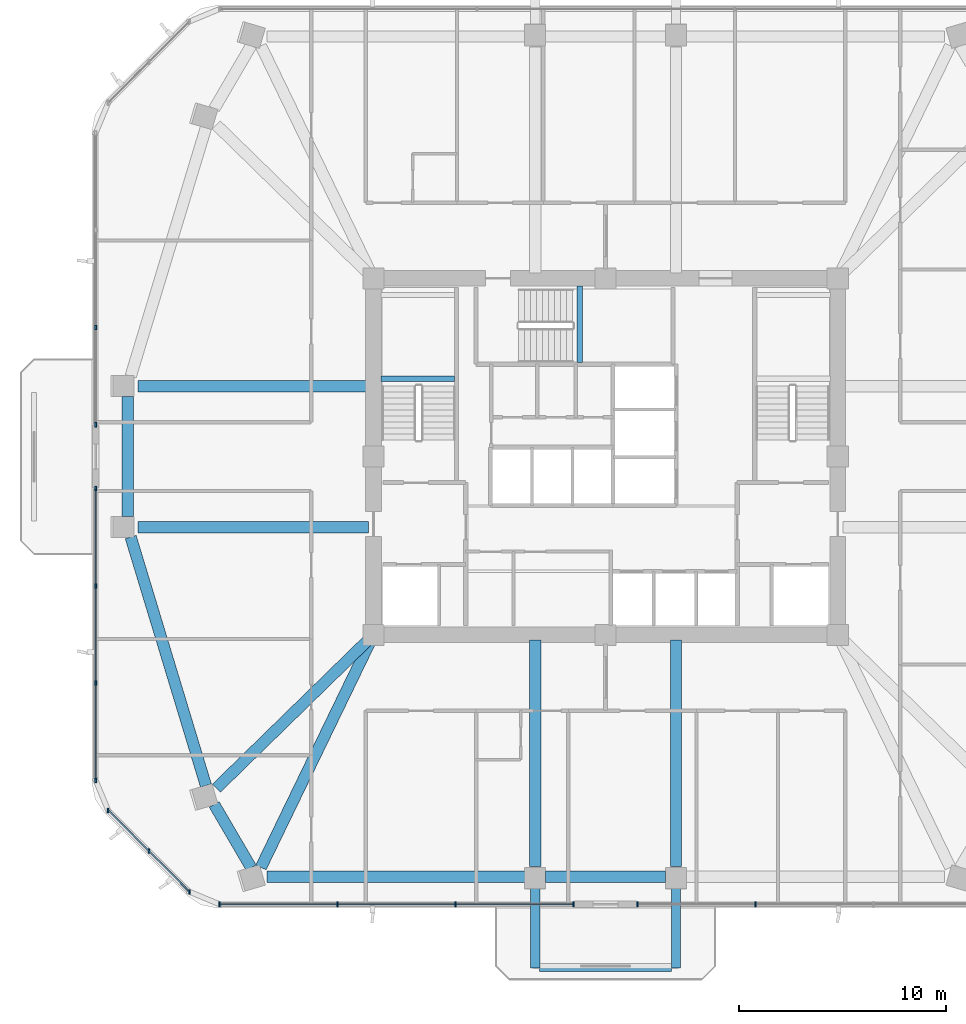
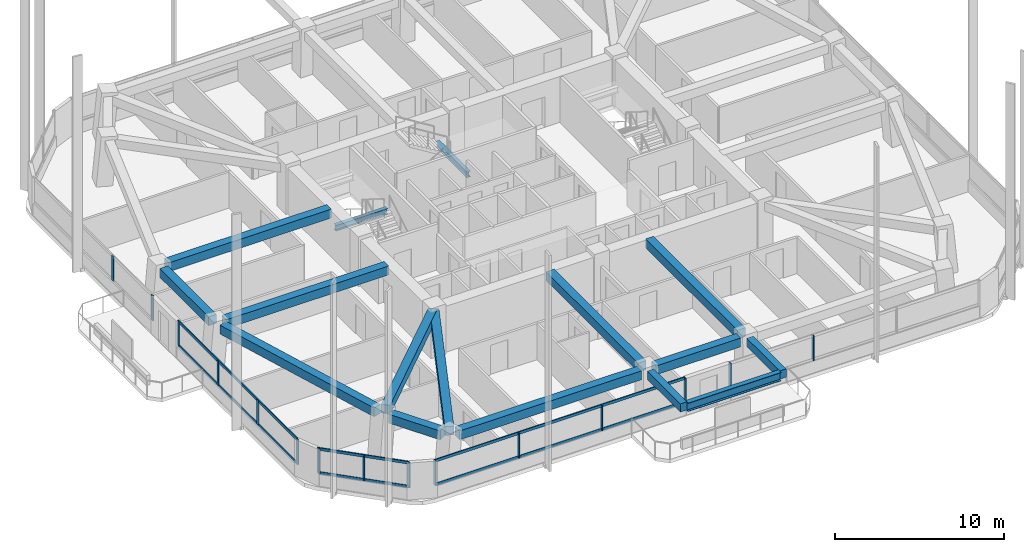
# One storey, part 2 of 15: 21 members, 16 beams, 5 elements without a shape of their own.
"""IFC4 building model written with IfcOpenShell, lengths in metres."""

from ifc_helpers import new_model, si_unit, derived_unit, direction, frame, origin, origin_2d, place, context, subcontext, project, spatial, rectangle, i_section, extrude, material, material_profile, profile_set, type_object, element, aggregate, save


model = new_model("IFC4")

# Units and contexts
model_context = context("Model", 3, precision=1e-05, world=origin(), true_north=direction((0.0, 1.0)))
body_context = subcontext(model_context, "Body", "Model", "MODEL_VIEW")
ifc_project = project(units=[si_unit("LENGTHUNIT", "METRE"), si_unit("AREAUNIT", "SQUARE_METRE"), si_unit("VOLUMEUNIT", "CUBIC_METRE"), si_unit("PLANEANGLEUNIT", "RADIAN"), si_unit("MASSUNIT", "GRAM", prefix="KILO"), derived_unit("THERMALTRANSMITTANCEUNIT", [(si_unit("POWERUNIT", "WATT"), 1), (si_unit("LENGTHUNIT", "METRE"), -2), (si_unit("THERMODYNAMICTEMPERATUREUNIT", "KELVIN"), -1)])], contexts=[model_context])

# Site, building, storey
site_placement = place(None, origin())
site = spatial("IfcSite", under=ifc_project, at=site_placement, CompositionType="ELEMENT")
building_placement = place(site_placement, origin())
building = spatial("IfcBuilding", under=site, at=building_placement, Name="Koralith Skygarden Medical Center", CompositionType="ELEMENT")
storey_placement = place(building_placement, frame((0.0, 0.0, 113.580078125)))
storey = spatial("IfcBuildingStorey", under=building, at=storey_placement, Name="L29", CompositionType="ELEMENT", Elevation=113.580078125)

# Curtain wall, members
ifc_material_1 = material(Name="Clear Laminated Glass", Category="glass")
curtain_wall_type = type_object("IfcCurtainWallType", Name="CW-3 Zone 2 Faceted Solar Curtain Wall", PredefinedType="NOTDEFINED", material=ifc_material_1)
curtain_wall_1_placement = place(storey_placement, origin())
curtain_wall_1 = element("IfcCurtainWall", 1, at=curtain_wall_1_placement, inside=storey, type_object=curtain_wall_type, Name="Curtain Wall CW-L29-S-L", PredefinedType="NOTDEFINED")
ifc_material_2 = material(Name="Aluminium 6063-T6", Category="aluminium")
ifc_material_profile_1 = material_profile(ifc_material_2, rectangle(XDim=0.073974609375, YDim=0.219970703125, at=origin_2d()), Name="MUL74X220")
ifc_profile_set_1 = profile_set([ifc_material_profile_1], Name="Aluminium 6063-T6")
member_type_1 = type_object("IfcMemberType", Name="CW-3 Extruded Mullion 74x220", PredefinedType="MULLION", material=ifc_profile_set_1)
member_1_placement = place(storey_placement, frame((18.37109375, 4.299072265625, 0.849853515625), z_axis=(0.0, 0.0, 1.0), x_axis=(1.0, 0.0, 0.0)))
member_1 = element("IfcMember", 2, at=member_1_placement, type_object=member_type_1, Name="CW-L29-S-L Mullion 1", PredefinedType="MULLION", context=body_context, shape_type="SweptSolid", body=[
    extrude(rectangle(XDim=0.073974609375, YDim=0.219970703125, at=origin_2d()), origin(), (0.0, 0.0, 1.0), 1.820068359375),
])
member_2_placement = place(storey_placement, frame((24.06689453125, 4.299072265625, 0.849853515625), z_axis=(0.0, 0.0, 1.0), x_axis=(1.0, 0.0, 0.0)))
member_2 = element("IfcMember", 3, at=member_2_placement, type_object=member_type_1, Name="CW-L29-S-L Mullion 2", PredefinedType="MULLION", context=body_context, shape_type="SweptSolid", body=[
    extrude(rectangle(XDim=0.073974609375, YDim=0.219970703125, at=origin_2d()), origin(), (0.0, 0.0, 1.0), 1.820068359375),
])
member_3_placement = place(storey_placement, frame((29.762939453125, 4.299072265625, 0.849853515625), z_axis=(0.0, 0.0, 1.0), x_axis=(1.0, 0.0, 0.0)))
member_3 = element("IfcMember", 4, at=member_3_placement, type_object=member_type_1, Name="CW-L29-S-L Mullion 3", PredefinedType="MULLION", context=body_context, shape_type="SweptSolid", body=[
    extrude(rectangle(XDim=0.073974609375, YDim=0.219970703125, at=origin_2d()), origin(), (0.0, 0.0, 1.0), 1.820068359375),
])
member_4_placement = place(storey_placement, frame((35.458984375, 4.299072265625, 0.849853515625), z_axis=(0.0, 0.0, 1.0), x_axis=(1.0, 0.0, 0.0)))
member_4 = element("IfcMember", 5, at=member_4_placement, type_object=member_type_1, Name="CW-L29-S-L Mullion 4", PredefinedType="MULLION", context=body_context, shape_type="SweptSolid", body=[
    extrude(rectangle(XDim=0.073974609375, YDim=0.219970703125, at=origin_2d()), origin(), (0.0, 0.0, 1.0), 1.820068359375),
])

curtain_wall_2_placement = place(storey_placement, origin())
curtain_wall_2 = element("IfcCurtainWall", 6, at=curtain_wall_2_placement, inside=storey, type_object=curtain_wall_type, Name="Curtain Wall CW-L29-S-R", PredefinedType="NOTDEFINED")
member_5_placement = place(storey_placement, frame((38.5390625, 4.299072265625, 0.849853515625), z_axis=(0.0, 0.0, 1.0), x_axis=(1.0, 0.0, 0.0)))
member_5 = element("IfcMember", 7, at=member_5_placement, type_object=member_type_1, Name="CW-L29-S-R Mullion 1", PredefinedType="MULLION", context=body_context, shape_type="SweptSolid", body=[
    extrude(rectangle(XDim=0.073974609375, YDim=0.219970703125, at=origin_2d()), origin(), (0.0, 0.0, 1.0), 1.820068359375),
])
member_6_placement = place(storey_placement, frame((44.236083984375, 4.299072265625, 0.849853515625), z_axis=(0.0, 0.0, 1.0), x_axis=(1.0, 0.0, 0.0)))
member_6 = element("IfcMember", 8, at=member_6_placement, type_object=member_type_1, Name="CW-L29-S-R Mullion 2", PredefinedType="MULLION", context=body_context, shape_type="SweptSolid", body=[
    extrude(rectangle(XDim=0.073974609375, YDim=0.219970703125, at=origin_2d()), origin(), (0.0, 0.0, 1.0), 1.820068359375),
])
aggregate(curtain_wall_2, [member_5, member_6])

curtain_wall_3_placement = place(storey_placement, origin())
curtain_wall_3 = element("IfcCurtainWall", 9, at=curtain_wall_3_placement, inside=storey, type_object=curtain_wall_type, Name="Curtain Wall CW-L29-W-L", PredefinedType="NOTDEFINED")
member_7_placement = place(storey_placement, frame((12.39599609375, 32.135009765625, 0.849853515625), z_axis=(0.0, 0.0, 1.0), x_axis=(1.0, 0.0, 0.0)))
member_7 = element("IfcMember", 10, at=member_7_placement, type_object=member_type_1, Name="CW-L29-W-L Mullion 3", PredefinedType="MULLION", context=body_context, shape_type="SweptSolid", body=[
    extrude(rectangle(XDim=0.073974609375, YDim=0.219970703125, at=origin_2d()), origin(), (0.0, 0.0, 1.0), 1.820068359375),
])
member_8_placement = place(storey_placement, frame((12.39599609375, 27.43994140625, 0.849853515625), z_axis=(0.0, 0.0, 1.0), x_axis=(1.0, 0.0, 0.0)))
member_8 = element("IfcMember", 11, at=member_8_placement, type_object=member_type_1, Name="CW-L29-W-L Mullion 4", PredefinedType="MULLION", context=body_context, shape_type="SweptSolid", body=[
    extrude(rectangle(XDim=0.073974609375, YDim=0.219970703125, at=origin_2d()), origin(), (0.0, 0.0, 1.0), 1.820068359375),
])
aggregate(curtain_wall_3, [member_7, member_8])

curtain_wall_4_placement = place(storey_placement, origin())
curtain_wall_4 = element("IfcCurtainWall", 12, at=curtain_wall_4_placement, inside=storey, type_object=curtain_wall_type, Name="Curtain Wall CW-L29-W-R", PredefinedType="NOTDEFINED")
member_9_placement = place(storey_placement, frame((12.39599609375, 24.360107421875, 0.849853515625), z_axis=(0.0, 0.0, 1.0), x_axis=(1.0, 0.0, 0.0)))
member_9 = element("IfcMember", 13, at=member_9_placement, type_object=member_type_1, Name="CW-L29-W-R Mullion 1", PredefinedType="MULLION", context=body_context, shape_type="SweptSolid", body=[
    extrude(rectangle(XDim=0.073974609375, YDim=0.219970703125, at=origin_2d()), origin(), (0.0, 0.0, 1.0), 1.820068359375),
])
member_10_placement = place(storey_placement, frame((12.39599609375, 19.6650390625, 0.849853515625), z_axis=(0.0, 0.0, 1.0), x_axis=(1.0, 0.0, 0.0)))
member_10 = element("IfcMember", 14, at=member_10_placement, type_object=member_type_1, Name="CW-L29-W-R Mullion 2", PredefinedType="MULLION", context=body_context, shape_type="SweptSolid", body=[
    extrude(rectangle(XDim=0.073974609375, YDim=0.219970703125, at=origin_2d()), origin(), (0.0, 0.0, 1.0), 1.820068359375),
])
member_11_placement = place(storey_placement, frame((12.39599609375, 14.969970703125, 0.849853515625), z_axis=(0.0, 0.0, 1.0), x_axis=(1.0, 0.0, 0.0)))
member_11 = element("IfcMember", 15, at=member_11_placement, type_object=member_type_1, Name="CW-L29-W-R Mullion 3", PredefinedType="MULLION", context=body_context, shape_type="SweptSolid", body=[
    extrude(rectangle(XDim=0.073974609375, YDim=0.219970703125, at=origin_2d()), origin(), (0.0, 0.0, 1.0), 1.820068359375),
])
member_12_placement = place(storey_placement, frame((12.39599609375, 10.27490234375, 0.849853515625), z_axis=(0.0, 0.0, 1.0), x_axis=(1.0, 0.0, 0.0)))
member_12 = element("IfcMember", 16, at=member_12_placement, type_object=member_type_1, Name="CW-L29-W-R Mullion 4", PredefinedType="MULLION", context=body_context, shape_type="SweptSolid", body=[
    extrude(rectangle(XDim=0.073974609375, YDim=0.219970703125, at=origin_2d()), origin(), (0.0, 0.0, 1.0), 1.820068359375),
])

curtain_wall_5_placement = place(storey_placement, origin())
curtain_wall_5 = element("IfcCurtainWall", 17, at=curtain_wall_5_placement, inside=storey, type_object=curtain_wall_type, Name="Curtain Wall CW-L29-SW", PredefinedType="NOTDEFINED")
member_13_placement = place(storey_placement, frame((12.9970703125, 8.823974609375, 0.849853515625), z_axis=(0.0, 0.0, 1.0), x_axis=(1.0, 0.0, 0.0)))
member_13 = element("IfcMember", 18, at=member_13_placement, type_object=member_type_1, Name="CW-L29-SW Mullion 1", PredefinedType="MULLION", context=body_context, shape_type="SweptSolid", body=[
    extrude(rectangle(XDim=0.073974609375, YDim=0.219970703125, at=origin_2d()), origin(), (0.0, 0.0, 1.0), 1.820068359375),
])
member_14_placement = place(storey_placement, frame((14.958984375, 6.862060546875, 0.849853515625), z_axis=(0.0, 0.0, 1.0), x_axis=(1.0, 0.0, 0.0)))
member_14 = element("IfcMember", 19, at=member_14_placement, type_object=member_type_1, Name="CW-L29-SW Mullion 2", PredefinedType="MULLION", context=body_context, shape_type="SweptSolid", body=[
    extrude(rectangle(XDim=0.073974609375, YDim=0.219970703125, at=origin_2d()), origin(), (0.0, 0.0, 1.0), 1.820068359375),
])
member_15_placement = place(storey_placement, frame((16.919921875, 4.90087890625, 0.849853515625), z_axis=(0.0, 0.0, 1.0), x_axis=(1.0, 0.0, 0.0)))
member_15 = element("IfcMember", 20, at=member_15_placement, type_object=member_type_1, Name="CW-L29-SW Mullion 3", PredefinedType="MULLION", context=body_context, shape_type="SweptSolid", body=[
    extrude(rectangle(XDim=0.073974609375, YDim=0.219970703125, at=origin_2d()), origin(), (0.0, 0.0, 1.0), 1.820068359375),
])

# Member
ifc_material_profile_2 = material_profile(ifc_material_2, rectangle(XDim=0.069091796875, YDim=0.197998046875, at=origin_2d()), Name="TRN69X198")
ifc_profile_set_2 = profile_set([ifc_material_profile_2], Name="Aluminium 6063-T6")
member_type_2 = type_object("IfcMemberType", Name="CW-3 Thermal Transom 69x198", PredefinedType="USERDEFINED", material=ifc_profile_set_2)
member_16_placement = place(storey_placement, frame((18.37109375, 4.299072265625, 0.89990234375), z_axis=(1.0, 0.0, 0.0), x_axis=(0.0, 1.0, 0.0)))
member_16 = element("IfcMember", 21, at=member_16_placement, type_object=member_type_2, Name="CW-L29-S-L Transom 1", ObjectType="TRANSOM", PredefinedType="USERDEFINED", context=body_context, shape_type="SweptSolid", body=[
    extrude(rectangle(XDim=0.069091796875, YDim=0.197998046875, at=origin_2d()), origin(), (0.0, 0.0, 1.0), 17.087890625),
])

member_17_placement = place(storey_placement, frame((18.37109375, 4.299072265625, 2.619873046875), z_axis=(1.0, 0.0, 0.0), x_axis=(0.0, 1.0, 0.0)))
member_17 = element("IfcMember", 22, at=member_17_placement, type_object=member_type_2, Name="CW-L29-S-L Transom 2", ObjectType="TRANSOM", PredefinedType="USERDEFINED", context=body_context, shape_type="SweptSolid", body=[
    extrude(rectangle(XDim=0.069091796875, YDim=0.197998046875, at=origin_2d()), origin(), (0.0, 0.0, 1.0), 17.087890625),
])

aggregate(curtain_wall_1, [member_1, member_2, member_3, member_4, member_16, member_17])

member_18_placement = place(storey_placement, frame((12.39599609375, 24.360107421875, 0.89990234375), z_axis=(0.0, -1.0, 0.0), x_axis=(1.0, 0.0, 0.0)))
member_18 = element("IfcMember", 23, at=member_18_placement, type_object=member_type_2, Name="CW-L29-W-R Transom 1", ObjectType="TRANSOM", PredefinedType="USERDEFINED", context=body_context, shape_type="SweptSolid", body=[
    extrude(rectangle(XDim=0.069091796875, YDim=0.197998046875, at=origin_2d()), origin(), (0.0, 0.0, 1.0), 14.085205078125),
])

member_19_placement = place(storey_placement, frame((12.39599609375, 24.360107421875, 2.619873046875), z_axis=(0.0, -1.0, 0.0), x_axis=(1.0, 0.0, 0.0)))
member_19 = element("IfcMember", 24, at=member_19_placement, type_object=member_type_2, Name="CW-L29-W-R Transom 2", ObjectType="TRANSOM", PredefinedType="USERDEFINED", context=body_context, shape_type="SweptSolid", body=[
    extrude(rectangle(XDim=0.069091796875, YDim=0.197998046875, at=origin_2d()), origin(), (0.0, 0.0, 1.0), 14.085205078125),
])

aggregate(curtain_wall_4, [member_9, member_10, member_11, member_12, member_18, member_19])

member_20_placement = place(storey_placement, frame((12.9970703125, 8.823974609375, 0.89990234375), z_axis=(0.707084777957, -0.707128783731, 0.0), x_axis=(0.707128783731, 0.707084777957, 0.0)))
member_20 = element("IfcMember", 25, at=member_20_placement, type_object=member_type_2, Name="CW-L29-SW Transom 1", ObjectType="TRANSOM", PredefinedType="USERDEFINED", context=body_context, shape_type="SweptSolid", body=[
    extrude(rectangle(XDim=0.069091796875, YDim=0.197998046875, at=origin_2d()), origin(), (0.0, 0.0, 1.0), 5.5478515625),
])

member_21_placement = place(storey_placement, frame((12.9970703125, 8.823974609375, 2.619873046875), z_axis=(0.707084777957, -0.707128783731, 0.0), x_axis=(0.707128783731, 0.707084777957, 0.0)))
member_21 = element("IfcMember", 26, at=member_21_placement, type_object=member_type_2, Name="CW-L29-SW Transom 2", ObjectType="TRANSOM", PredefinedType="USERDEFINED", context=body_context, shape_type="SweptSolid", body=[
    extrude(rectangle(XDim=0.069091796875, YDim=0.197998046875, at=origin_2d()), origin(), (0.0, 0.0, 1.0), 5.5478515625),
])

aggregate(curtain_wall_5, [member_13, member_14, member_15, member_20, member_21])

# Beams
ifc_material_3 = material(Name="Steel ASTM A992 Grade 50", Category="steel")
ifc_material_profile_3 = material_profile(ifc_material_3, i_section(OverallWidth=0.326904296875, OverallDepth=0.6220703125, WebThickness=0.015380859375, FlangeThickness=0.0244140625, at=origin_2d()), Name="W24X131")
ifc_profile_set_3 = profile_set([ifc_material_profile_3], Name="Steel ASTM A992 Grade 50")
beam_type_1 = type_object("IfcBeamType", Name="Cantilever Tie Beam W24X131", PredefinedType="BEAM", material=ifc_profile_set_3)
beam_1_placement = place(storey_placement, frame((33.820068359375, 1.218017578125, 3.02880859375), z_axis=(1.0, 0.0, 0.0), x_axis=(0.0, 1.0, 0.0)))
element("IfcBeam", 27, at=beam_1_placement, inside=storey, type_object=beam_type_1, Name="L30 S Balcony Tip Tie Beam", PredefinedType="BEAM", context=body_context, shape_type="SweptSolid", body=[
    extrude(i_section(OverallWidth=0.326904296875, OverallDepth=0.6220703125, WebThickness=0.015380859375, FlangeThickness=0.0244140625, at=origin_2d()), origin(), (0.0, 0.0, 1.0), 6.35986328125),
])
ifc_material_profile_4 = material_profile(ifc_material_3, i_section(OverallWidth=0.260009765625, OverallDepth=0.4150390625, WebThickness=0.010009765625, FlangeThickness=0.016845703125, at=origin_2d()), Name="W16X67")
ifc_profile_set_4 = profile_set([ifc_material_profile_4], Name="Steel ASTM A992 Grade 50")
beam_type_2 = type_object("IfcBeamType", Name="Clinical Floor Joist W16X67", PredefinedType="JOIST", material=ifc_profile_set_4)
beam_2_placement = place(storey_placement, frame((26.155029296875, 29.659912109375, 1.391845703125), z_axis=(1.0, 0.0, 0.0), x_axis=(0.0, 1.0, 0.0)))
element("IfcBeam", 28, at=beam_2_placement, inside=storey, type_object=beam_type_2, Name="L29 Stair ST1 Half-Landing Support Beam 1A", PredefinedType="JOIST", context=body_context, shape_type="SweptSolid", body=[
    extrude(i_section(OverallWidth=0.260009765625, OverallDepth=0.4150390625, WebThickness=0.010009765625, FlangeThickness=0.016845703125, at=origin_2d()), origin(), (0.0, 0.0, 1.0), 3.56494140625),
])
beam_3_placement = place(storey_placement, frame((35.760009765625, 30.43994140625, 1.391845703125), z_axis=(0.0, 1.0, 0.0), x_axis=(-1.0, 0.0, 0.0)))
element("IfcBeam", 29, at=beam_3_placement, inside=storey, type_object=beam_type_2, Name="L29 Stair ST3 Half-Landing Support Beam 1A", PredefinedType="JOIST", context=body_context, shape_type="SweptSolid", body=[
    extrude(i_section(OverallWidth=0.260009765625, OverallDepth=0.4150390625, WebThickness=0.010009765625, FlangeThickness=0.016845703125, at=origin_2d()), origin(), (0.0, 0.0, 1.0), 3.705078125),
])
ifc_material_4 = material(Name="Concrete C45/55", Category="concrete")
ifc_material_profile_5 = material_profile(ifc_material_4, rectangle(XDim=0.449951171875, YDim=0.60009765625, at=origin_2d()), Name="RCB450X600")
ifc_profile_set_5 = profile_set([ifc_material_profile_5], Name="Concrete C45/55")
beam_type_3 = type_object("IfcBeamType", Name="Planted Balcony Cantilever Beam RCB450X600", PredefinedType="BEAM", material=ifc_profile_set_5)
for number, where, z_axis, x_axis, name in (
    (30, (33.60009765625, 5.137939453125, 3.0400390625), (0.0, -1.0, 0.0), (1.0, 0.0, 0.0), "L30 S Balcony Cantilever Beam A"),
    (31, (40.39990234375, 5.137939453125, 3.0400390625), (0.0, -1.0, 0.0), (1.0, 0.0, 0.0), "L30 S Balcony Cantilever Beam B"),
):
    element("IfcBeam", number, at=place(storey_placement, frame(where, z_axis=z_axis, x_axis=x_axis)), inside=storey, type_object=beam_type_3, Name=name, PredefinedType="BEAM", context=body_context, shape_type="SweptSolid", body=[
        extrude(rectangle(XDim=0.449951171875, YDim=0.60009765625, at=origin_2d()), origin(), (0.0, 0.0, 1.0), 3.919921875),
    ])
ifc_material_profile_6 = material_profile(ifc_material_4, rectangle(XDim=0.550048828125, YDim=0.639892578125, at=origin_2d()), Name="RCB550X640")
ifc_profile_set_6 = profile_set([ifc_material_profile_6], Name="Concrete C45/55")
beam_type_4 = type_object("IfcBeamType", Name="Radial Collector Beam RCB550X640", PredefinedType="BEAM", material=ifc_profile_set_6)
beam_4_placement = place(storey_placement, frame((25.550048828125, 22.5, 3.0), z_axis=(-1.0, 0.0, 0.0), x_axis=(0.0, -1.0, 0.0)))
element("IfcBeam", 32, at=beam_4_placement, inside=storey, type_object=beam_type_4, Name="L29 Radial Collector Beam RB-01", PredefinedType="BEAM", context=body_context, shape_type="SweptSolid", body=[
    extrude(rectangle(XDim=0.550048828125, YDim=0.639892578125, at=origin_2d()), origin(), (0.0, 0.0, 1.0), 11.112060546875),
])
beam_5_placement = place(storey_placement, frame((25.62109375, 17.125, 3.0), z_axis=(-0.715561569325, -0.698549669319, 0.0), x_axis=(0.698549669319, -0.715561569325, 0.0)))
element("IfcBeam", 33, at=beam_5_placement, inside=storey, type_object=beam_type_4, Name="L29 Radial Collector Beam RB-02", PredefinedType="BEAM", context=body_context, shape_type="SweptSolid", body=[
    extrude(rectangle(XDim=0.550048828125, YDim=0.639892578125, at=origin_2d()), origin(), (0.0, 0.0, 1.0), 10.34716796875),
])
beam_6_placement = place(storey_placement, frame((25.69091796875, 17.074951171875, 3.0), z_axis=(-0.435682623096, -0.900100356589, 0.0), x_axis=(0.900100356589, -0.435682623096, 0.0)))
element("IfcBeam", 34, at=beam_6_placement, inside=storey, type_object=beam_type_4, Name="L29 Radial Collector Beam RB-03", PredefinedType="BEAM", context=body_context, shape_type="SweptSolid", body=[
    extrude(rectangle(XDim=0.550048828125, YDim=0.639892578125, at=origin_2d()), origin(), (0.0, 0.0, 1.0), 12.217529296875),
])
for number, where, z_axis, x_axis, name in (
    (35, (33.60009765625, 17.050048828125, 3.0), (0.0, -1.0, 0.0), (1.0, 0.0, 0.0), "L29 Radial Collector Beam RB-04"),
    (36, (40.39990234375, 17.050048828125, 3.0), (0.0, -1.0, 0.0), (1.0, 0.0, 0.0), "L29 Radial Collector Beam RB-05"),
):
    element("IfcBeam", number, at=place(storey_placement, frame(where, z_axis=z_axis, x_axis=x_axis)), inside=storey, type_object=beam_type_4, Name=name, PredefinedType="BEAM", context=body_context, shape_type="SweptSolid", body=[
        extrude(rectangle(XDim=0.550048828125, YDim=0.639892578125, at=origin_2d()), origin(), (0.0, 0.0, 1.0), 10.922119140625),
    ])
beam_7_placement = place(storey_placement, frame((25.550048828125, 29.300048828125, 3.0), z_axis=(-1.0, 0.0, 0.0), x_axis=(0.0, -1.0, 0.0)))
element("IfcBeam", 37, at=beam_7_placement, inside=storey, type_object=beam_type_4, Name="L29 Radial Collector Beam RB-16", PredefinedType="BEAM", context=body_context, shape_type="SweptSolid", body=[
    extrude(rectangle(XDim=0.550048828125, YDim=0.639892578125, at=origin_2d()), origin(), (0.0, 0.0, 1.0), 11.112060546875),
])
ifc_material_profile_7 = material_profile(ifc_material_4, rectangle(XDim=0.550048828125, YDim=0.639892578125, at=origin_2d()), Name="RCB550X640")
ifc_profile_set_7 = profile_set([ifc_material_profile_7], Name="Concrete C45/55")
beam_type_5 = type_object("IfcBeamType", Name="Zone 2-3 Spandrel Beam RCB550X640", PredefinedType="SPANDREL", material=ifc_profile_set_7)
beam_8_placement = place(storey_placement, frame((14.0830078125, 22.02099609375, 3.0), z_axis=(0.28975811543, -0.957099908339, 0.0), x_axis=(0.957099908339, 0.28975811543, 0.0)))
element("IfcBeam", 38, at=beam_8_placement, inside=storey, type_object=beam_type_5, Name="L29 Perimeter Spandrel Beam SP-01", PredefinedType="SPANDREL", context=body_context, shape_type="SweptSolid", body=[
    extrude(rectangle(XDim=0.550048828125, YDim=0.639892578125, at=origin_2d()), origin(), (0.0, 0.0, 1.0), 12.531494140625),
])
beam_9_placement = place(storey_placement, frame((18.111083984375, 9.115966796875, 3.0), z_axis=(0.504766963518, -0.863255647268, 0.0), x_axis=(0.863255647268, 0.504766963518, 0.0)))
element("IfcBeam", 39, at=beam_9_placement, inside=storey, type_object=beam_type_5, Name="L29 Perimeter Spandrel Beam SP-02", PredefinedType="SPANDREL", context=body_context, shape_type="SweptSolid", body=[
    extrude(rectangle(XDim=0.550048828125, YDim=0.639892578125, at=origin_2d()), origin(), (0.0, 0.0, 1.0), 3.5400390625),
])
beam_10_placement = place(storey_placement, frame((20.64990234375, 5.6279296875, 3.0), z_axis=(1.0, 0.0, 0.0), x_axis=(0.0, 1.0, 0.0)))
element("IfcBeam", 40, at=beam_10_placement, inside=storey, type_object=beam_type_5, Name="L29 Perimeter Spandrel Beam SP-03", PredefinedType="SPANDREL", context=body_context, shape_type="SweptSolid", body=[
    extrude(rectangle(XDim=0.550048828125, YDim=0.639892578125, at=origin_2d()), origin(), (0.0, 0.0, 1.0), 12.4501953125),
])
beam_11_placement = place(storey_placement, frame((34.10009765625, 5.6279296875, 3.0), z_axis=(1.0, 0.0, 0.0), x_axis=(0.0, 1.0, 0.0)))
element("IfcBeam", 41, at=beam_11_placement, inside=storey, type_object=beam_type_5, Name="L29 Perimeter Spandrel Beam SP-04", PredefinedType="SPANDREL", context=body_context, shape_type="SweptSolid", body=[
    extrude(rectangle(XDim=0.550048828125, YDim=0.639892578125, at=origin_2d()), origin(), (0.0, 0.0, 1.0), 5.7998046875),
])
beam_12_placement = place(storey_placement, frame((13.93798828125, 28.800048828125, 3.0), z_axis=(0.0, -1.0, 0.0), x_axis=(1.0, 0.0, 0.0)))
element("IfcBeam", 42, at=beam_12_placement, inside=storey, type_object=beam_type_5, Name="L29 Perimeter Spandrel Beam SP-16", PredefinedType="SPANDREL", context=body_context, shape_type="SweptSolid", body=[
    extrude(rectangle(XDim=0.550048828125, YDim=0.639892578125, at=origin_2d()), origin(), (0.0, 0.0, 1.0), 5.800048828125),
])

save(model, "model.ifc")
